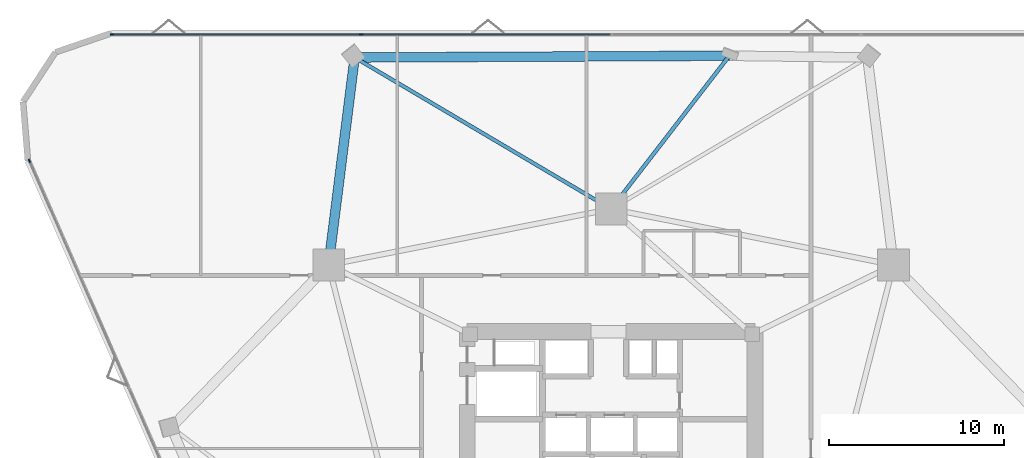
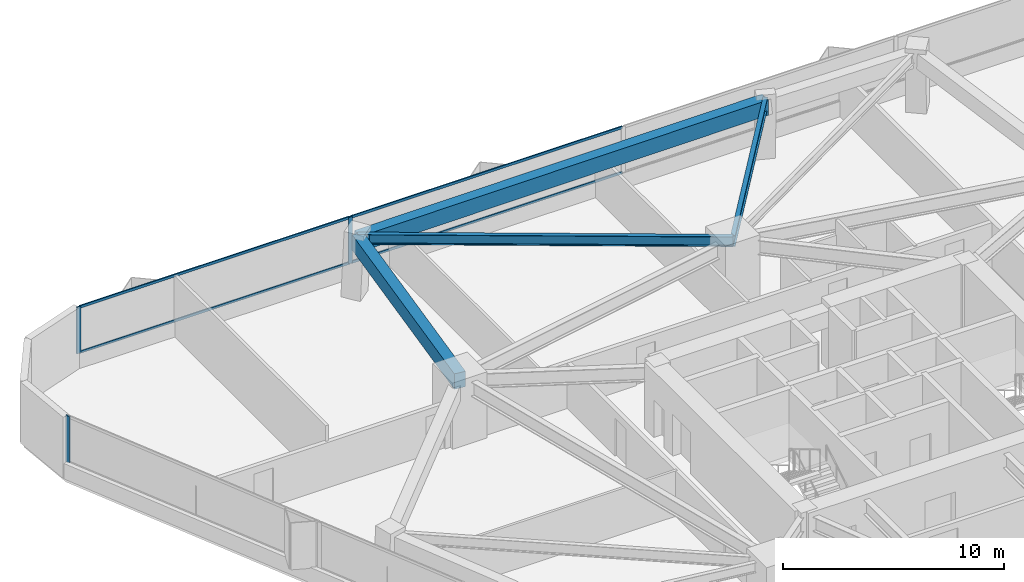
# One storey, part 7 of 14: 7 members, 4 beams, 2 elements without a shape of their own.
"""IFC4 building model written with IfcOpenShell, lengths in metres."""

import ifcopenshell
import ifcopenshell.guid

model = None  # the IFC model being written
_history = None  # IfcOwnerHistory: only IFC2X3 demands one
_inside = {}  # id of a spatial element -> (the spatial element, [elements in it])
_under = {}  # id of a project, library or spatial element -> (it, [spatial elements below it])
_declared = {}  # id of a project -> (the project, [libraries it declares])
_typed = {}  # id of a type object -> (the type object, [elements of that type])
_made_of = {}  # id of a material, layer set ... -> (it, [elements and type objects made of it])


def new_model(schema):
    """Start an empty IFC model of exactly this schema.

    Asked for "IFC4X3", IfcOpenShell would pick the latest addendum, in which some entities
    have other attributes; the version numbers below select the first issue.
    IFC2X3 requires an IfcOwnerHistory on every rooted entity: one is made here for all.
    """
    global model, _history
    if schema == "IFC4X3":
        model = ifcopenshell.file(schema_version=(4, 3, 0, 0))
    else:
        model = ifcopenshell.file(schema=schema)
    _inside.clear()
    _under.clear()
    _declared.clear()
    _typed.clear()
    _made_of.clear()
    _history = None
    if model.schema == "IFC2X3":
        org = make("IfcOrganization", Name="unknown")
        user = make(
            "IfcPersonAndOrganization",
            ThePerson=make("IfcPerson", FamilyName="unknown"),
            TheOrganization=org,
        )
        app = make(
            "IfcApplication",
            ApplicationDeveloper=org,
            Version="unknown",
            ApplicationFullName="unknown",
            ApplicationIdentifier="unknown",
        )
        _history = make(
            "IfcOwnerHistory",
            OwningUser=user,
            OwningApplication=app,
            ChangeAction="ADDED",
            CreationDate=0,
        )
    return model


def make(cls, **values):
    """One entity of the class cls with the attributes given. An attribute that is None is left unset."""
    return model.create_entity(
        cls, **{name: value for name, value in values.items() if value is not None}
    )


def rooted(cls, **values):
    """An entity with a GlobalId (a new one), such as an element, a storey or a relation."""
    return make(cls, GlobalId=ifcopenshell.guid.new(), OwnerHistory=_history, **values)


def si_unit(unit_type, name, prefix=None):
    """IfcSIUnit, for example si_unit("LENGTHUNIT", "METRE", prefix="MILLI")."""
    return make("IfcSIUnit", UnitType=unit_type, Prefix=prefix, Name=name)


def assignment(units):
    """IfcUnitAssignment: the units of a project."""
    return None if units is None else make("IfcUnitAssignment", Units=units)


def point(xyz):
    """IfcCartesianPoint."""
    return None if xyz is None else make("IfcCartesianPoint", Coordinates=xyz)


def direction(xyz):
    """IfcDirection."""
    return None if xyz is None else make("IfcDirection", DirectionRatios=xyz)


def frame(location, z_axis=None, x_axis=None):
    """IfcAxis2Placement3D, a coordinate frame: its origin and axes. An axis left out is left unset."""
    return make(
        "IfcAxis2Placement3D",
        Location=point(location),
        Axis=direction(z_axis),
        RefDirection=direction(x_axis),
    )


def frame_2d(location, x_axis=None):
    """IfcAxis2Placement2D, a coordinate frame in the plane: its origin and x axis."""
    return make(
        "IfcAxis2Placement2D", Location=point(location), RefDirection=direction(x_axis)
    )


def origin():
    """The frame at (0, 0, 0) with its axes left unset."""
    return frame((0.0, 0.0, 0.0))


def origin_2d():
    """The frame at (0, 0) in the plane with its x axis left unset."""
    return frame_2d((0.0, 0.0))


def place(relative_to, where):
    """IfcLocalPlacement: puts the frame where relative to a parent placement (None: the world)."""
    return make(
        "IfcLocalPlacement", PlacementRelTo=relative_to, RelativePlacement=where
    )


def context(
    kind, dimensions, precision=None, world=None, true_north=None, identifier=None
):
    """IfcGeometricRepresentationContext, for example the 3D "Model" context."""
    return make(
        "IfcGeometricRepresentationContext",
        ContextIdentifier=identifier,
        ContextType=kind,
        CoordinateSpaceDimension=dimensions,
        Precision=precision,
        WorldCoordinateSystem=world,
        TrueNorth=true_north,
    )


def subcontext(parent, identifier, kind, view, scale=None):
    """IfcGeometricRepresentationSubContext, for example "Body" below "Model"."""
    return make(
        "IfcGeometricRepresentationSubContext",
        ContextIdentifier=identifier,
        ContextType=kind,
        ParentContext=parent,
        TargetScale=scale,
        TargetView=view,
    )


def project(units=None, contexts=None):
    """IfcProject with its units and contexts."""
    return rooted(
        "IfcProject",
        Name="project",
        RepresentationContexts=contexts,
        UnitsInContext=assignment(units),
    )


def spatial(cls, under=None, at=None, **own):
    """A site, building, storey or space (cls), placed at a placement, below another one or the project."""
    s = rooted(cls, ObjectPlacement=at, **own)
    if under is not None:
        _under.setdefault(under.id(), (under, []))[1].append(s)
    return s


def profile(cls, at=None, kind="AREA", **sizes):
    """A parametric profile (cls). Its sizes go by their IFC names, for example OverallWidth=200.0."""
    return make(cls, ProfileType=kind, Position=at, **sizes)


def rectangle(**sizes):
    """IfcRectangleProfileDef."""
    return profile("IfcRectangleProfileDef", **sizes)


def i_section(**sizes):
    """IfcIShapeProfileDef."""
    return profile("IfcIShapeProfileDef", **sizes)


def extrude(swept, where, along, depth):
    """IfcExtrudedAreaSolid: the profile swept, set in the frame where, extruded along a direction by depth."""
    return make(
        "IfcExtrudedAreaSolid",
        SweptArea=swept,
        Position=where,
        ExtrudedDirection=direction(along),
        Depth=depth,
    )


def shape(context_of_items, identifier, shape_type, items):
    """IfcShapeRepresentation: the items that make up one representation, for example the "Body"."""
    return make(
        "IfcShapeRepresentation",
        ContextOfItems=context_of_items,
        RepresentationIdentifier=identifier,
        RepresentationType=shape_type,
        Items=items,
    )


def material(Name=None, Category=None):
    """IfcMaterial."""
    return make("IfcMaterial", Name=Name, Category=Category)


def layer(
    of_material, thickness, ventilated=None, Name=None, Category=None, Priority=None
):
    """IfcMaterialLayer: one layer of a wall or slab, of a material (None: an air gap)."""
    return make(
        "IfcMaterialLayer",
        Material=of_material,
        LayerThickness=thickness,
        IsVentilated=ventilated,
        Name=Name,
        Category=Category,
        Priority=Priority,
    )


def layer_set(layers, Name=None):
    """IfcMaterialLayerSet."""
    return make("IfcMaterialLayerSet", MaterialLayers=layers, LayerSetName=Name)


def material_profile(
    of_material, cross_section, Name=None, Category=None, Priority=None
):
    """IfcMaterialProfile: a cross section and its material."""
    return make(
        "IfcMaterialProfile",
        Name=Name,
        Material=of_material,
        Profile=cross_section,
        Priority=Priority,
        Category=Category,
    )


def profile_set(profiles, Name=None, composite=None):
    """IfcMaterialProfileSet."""
    return make(
        "IfcMaterialProfileSet",
        Name=Name,
        MaterialProfiles=profiles,
        CompositeProfile=composite,
    )


def made_of(thing, what):
    """Note that an element or type object is made of a material, layer set ...; save() writes the relation."""
    if what is not None:
        _made_of.setdefault(what.id(), (what, []))[1].append(thing)
    return thing


def type_object(cls, material=None, **own):
    """A type object (cls), such as IfcWallType, which elements share."""
    return made_of(rooted(cls, **own), material)


def element(
    cls,
    number,
    at=None,
    inside=None,
    cuts=None,
    type_object=None,
    material=None,
    context=None,
    identifier="Body",
    shape_type=None,
    held_by="IfcProductDefinitionShape",
    body=None,
    shapes=None,
    **own,
):
    """One element of the class cls, such as IfcWall. Its Tag is "e" and its number.

    at: its placement. inside: the storey or other place that contains it. cuts: it is an
    opening in that element (IfcRelVoidsElement). A single representation is given by context,
    identifier, shape_type and body (its items); several are given by shapes. held_by: the class
    of the entity that holds the representations. save() writes the other relations.
    """
    e = rooted(cls, Tag="e%d" % number, ObjectPlacement=at, **own)
    if body is not None:
        shapes = [shape(context, identifier, shape_type, body)]
    if shapes is not None:
        e.Representation = make(held_by, Representations=shapes)
    if inside is not None:
        _inside.setdefault(inside.id(), (inside, []))[1].append(e)
    if cuts is not None:
        rooted(
            "IfcRelVoidsElement", RelatingBuildingElement=cuts, RelatedOpeningElement=e
        )
    if type_object is not None:
        _typed.setdefault(type_object.id(), (type_object, []))[1].append(e)
    return made_of(e, material)


def aggregate(whole, parts):
    """IfcRelAggregates: a whole, such as a stair, and the parts it consists of."""
    return rooted("IfcRelAggregates", RelatingObject=whole, RelatedObjects=parts)


def save(model, path):
    """Write the relations noted so far, then the file.

    IfcRelAggregates (storeys below a building ...), IfcRelContainedInSpatialStructure (elements
    in a storey), IfcRelDefinesByType, IfcRelAssociatesMaterial and IfcRelDeclares: one each for
    every whole, place, type object, material and project.
    """
    for whole, parts in _under.values():
        aggregate(whole, parts)
    for where, things in _inside.values():
        rooted(
            "IfcRelContainedInSpatialStructure",
            RelatedElements=things,
            RelatingStructure=where,
        )
    for kind, things in _typed.values():
        rooted("IfcRelDefinesByType", RelatedObjects=things, RelatingType=kind)
    for what, things in _made_of.values():
        rooted("IfcRelAssociatesMaterial", RelatedObjects=things, RelatingMaterial=what)
    for by, libraries in _declared.values():
        rooted("IfcRelDeclares", RelatingContext=by, RelatedDefinitions=libraries)
    model.write(path)


model = new_model("IFC4")

# Units and contexts
model_context = context("Model", 3, precision=1e-05, world=origin(), true_north=direction((0.0, 1.0)))
body_context = subcontext(model_context, "Body", "Model", "MODEL_VIEW")
ifc_project = project(units=[si_unit("LENGTHUNIT", "METRE"), si_unit("AREAUNIT", "SQUARE_METRE"), si_unit("VOLUMEUNIT", "CUBIC_METRE"), si_unit("PLANEANGLEUNIT", "RADIAN"), si_unit("MASSUNIT", "GRAM", prefix="KILO")], contexts=[model_context])

# Site, building, storey
site_placement = place(None, origin())
site = spatial("IfcSite", under=ifc_project, at=site_placement, CompositionType="ELEMENT")
building_placement = place(site_placement, origin())
building = spatial("IfcBuilding", under=site, at=building_placement, Name="Talyreon Biosciences Tower", CompositionType="ELEMENT")
storey_placement = place(building_placement, frame((0.0, 0.0, 52.0)))
storey = spatial("IfcBuildingStorey", under=building, at=storey_placement, Name="L13", CompositionType="ELEMENT", Elevation=52.0)

# Curtain wall, members
ifc_material_1 = material(Name="Thermally broken aluminium and low-E glazing", Category="aluminium")
ifc_layer = layer(ifc_material_1, 0.205078125)
ifc_layer_set = layer_set([ifc_layer], Name="Thermally broken aluminium and low-E glazing")
curtain_wall_type = type_object("IfcCurtainWallType", Name="CurtainWall_SkyGardenLoggia", PredefinedType="NOTDEFINED", material=ifc_layer_set)
curtain_wall_1_placement = place(storey_placement, origin())
curtain_wall_1 = element("IfcCurtainWall", 1, at=curtain_wall_1_placement, inside=storey, type_object=curtain_wall_type, Name="L13 Unitised Curtain Wall FCW-L13-03", PredefinedType="NOTDEFINED")
ifc_material_2 = material(Name="Anodised thermally broken aluminium", Category="aluminium")
ifc_material_profile_1 = material_profile(ifc_material_2, rectangle(XDim=0.074951171875, YDim=0.2099609375, at=origin_2d()), Name="ALUM MULLION 75x210")
ifc_profile_set_1 = profile_set([ifc_material_profile_1], Name="Anodised thermally broken aluminium")
member_type_1 = type_object("IfcMemberType", Name="CWMullion_75x210", PredefinedType="MULLION", material=ifc_profile_set_1)
member_1_placement = place(storey_placement, frame((37.556640625, 91.74072265625, 0.81005859375), z_axis=(0.0, 0.0, 1.0), x_axis=(0.0, 1.0, 0.0)))
member_1 = element("IfcMember", 2, at=member_1_placement, type_object=member_type_1, Name="CW7 mullion 1", PredefinedType="MULLION", context=body_context, shape_type="SweptSolid", body=[
    extrude(rectangle(XDim=0.074951171875, YDim=0.2099609375, at=origin_2d()), origin(), (0.0, 0.0, 1.0), 2.56494140625),
])
member_2_placement = place(storey_placement, frame((51.759521484375, 91.74072265625, 0.81005859375), z_axis=(0.0, 0.0, 1.0), x_axis=(0.0, 1.0, 0.0)))
member_2 = element("IfcMember", 3, at=member_2_placement, type_object=member_type_1, Name="CW7 mullion 2", PredefinedType="MULLION", context=body_context, shape_type="SweptSolid", body=[
    extrude(rectangle(XDim=0.074951171875, YDim=0.2099609375, at=origin_2d()), origin(), (0.0, 0.0, 1.0), 2.56494140625),
])

# Curtain wall, member
curtain_wall_2_placement = place(storey_placement, origin())
curtain_wall_2 = element("IfcCurtainWall", 4, at=curtain_wall_2_placement, inside=storey, type_object=curtain_wall_type, Name="L13 Unitised Curtain Wall FCW-L13-15", PredefinedType="NOTDEFINED")
member_3_placement = place(storey_placement, frame((32.84423828125, 84.53271484375, 0.81005859375), z_axis=(0.0, 0.0, 1.0), x_axis=(-0.916035471245, -0.40109726429, 0.0)))
member_3 = element("IfcMember", 5, at=member_3_placement, type_object=member_type_1, Name="CW7 mullion 6", PredefinedType="MULLION", context=body_context, shape_type="SweptSolid", body=[
    extrude(rectangle(XDim=0.074951171875, YDim=0.2099609375, at=origin_2d()), origin(), (0.0, 0.0, 1.0), 2.56494140625),
])
aggregate(curtain_wall_2, [member_3])

# Member
ifc_material_profile_2 = material_profile(ifc_material_2, rectangle(XDim=0.06494140625, YDim=0.139892578125, at=origin_2d()), Name="ALUM TRANSOM 65x140")
ifc_profile_set_2 = profile_set([ifc_material_profile_2], Name="Anodised thermally broken aluminium")
member_type_2 = type_object("IfcMemberType", Name="CWTransom_65x140", PredefinedType="USERDEFINED", material=ifc_profile_set_2)
member_4_placement = place(storey_placement, frame((37.59423828125, 91.74072265625, 0.842529296875), z_axis=(1.0, 0.0, 0.0), x_axis=(0.0, 1.0, 0.0)))
member_4 = element("IfcMember", 6, at=member_4_placement, type_object=member_type_2, Name="CW7 transom 1.1", ObjectType="TRANSOM", PredefinedType="USERDEFINED", context=body_context, shape_type="SweptSolid", body=[
    extrude(rectangle(XDim=0.06494140625, YDim=0.139892578125, at=origin_2d()), origin(), (0.0, 0.0, 1.0), 14.1279296875),
])

member_5_placement = place(storey_placement, frame((37.59423828125, 91.74072265625, 3.342529296875), z_axis=(1.0, 0.0, 0.0), x_axis=(0.0, 1.0, 0.0)))
member_5 = element("IfcMember", 7, at=member_5_placement, type_object=member_type_2, Name="CW7 transom 1.2", ObjectType="TRANSOM", PredefinedType="USERDEFINED", context=body_context, shape_type="SweptSolid", body=[
    extrude(rectangle(XDim=0.06494140625, YDim=0.139892578125, at=origin_2d()), origin(), (0.0, 0.0, 1.0), 14.1279296875),
])

member_6_placement = place(storey_placement, frame((51.797119140625, 91.74072265625, 0.842529296875), z_axis=(1.0, 0.0, 0.0), x_axis=(0.0, 1.0, 0.0)))
member_6 = element("IfcMember", 8, at=member_6_placement, type_object=member_type_2, Name="CW7 transom 2.1", ObjectType="TRANSOM", PredefinedType="USERDEFINED", context=body_context, shape_type="SweptSolid", body=[
    extrude(rectangle(XDim=0.06494140625, YDim=0.139892578125, at=origin_2d()), origin(), (0.0, 0.0, 1.0), 14.165283203125),
])

member_7_placement = place(storey_placement, frame((51.797119140625, 91.74072265625, 3.342529296875), z_axis=(1.0, 0.0, 0.0), x_axis=(0.0, 1.0, 0.0)))
member_7 = element("IfcMember", 9, at=member_7_placement, type_object=member_type_2, Name="CW7 transom 2.2", ObjectType="TRANSOM", PredefinedType="USERDEFINED", context=body_context, shape_type="SweptSolid", body=[
    extrude(rectangle(XDim=0.06494140625, YDim=0.139892578125, at=origin_2d()), origin(), (0.0, 0.0, 1.0), 14.165283203125),
])

aggregate(curtain_wall_1, [member_1, member_2, member_4, member_5, member_6, member_7])

# Beams
ifc_material_3 = material(Name="Precast concrete C45/55", Category="concrete")
ifc_material_profile_3 = material_profile(ifc_material_3, rectangle(XDim=0.550048828125, YDim=0.85009765625, at=origin_2d()), Name="RCB 550x850")
ifc_profile_set_3 = profile_set([ifc_material_profile_3], Name="Precast concrete C45/55")
beam_type_1 = type_object("IfcBeamType", Name="ExpressedSpandrel_550x850", PredefinedType="SPANDREL", material=ifc_profile_set_3)
beam_1_placement = place(storey_placement, frame((72.744873046875, 90.526123046875, 2.949951171875), z_axis=(-0.999989018708, -0.004686412657, 0.0), x_axis=(0.004686412657, -0.999989018708, 0.0)))
element("IfcBeam", 10, at=beam_1_placement, inside=storey, type_object=beam_type_1, Name="L13 Expressed Horizontal Concrete Spandrel 07", PredefinedType="SPANDREL", context=body_context, shape_type="SweptSolid", body=[
    extrude(rectangle(XDim=0.550048828125, YDim=0.85009765625, at=origin_2d()), origin(), (0.0, 0.0, 1.0), 21.359130859375),
])
beam_2_placement = place(storey_placement, frame((51.385986328125, 90.426025390625, 2.949951171875), z_axis=(-0.124848869799, -0.992175770572, 0.0), x_axis=(0.992175770572, -0.124848869799, 0.0)))
element("IfcBeam", 11, at=beam_2_placement, inside=storey, type_object=beam_type_1, Name="L13 Expressed Horizontal Concrete Spandrel 08", PredefinedType="SPANDREL", context=body_context, shape_type="SweptSolid", body=[
    extrude(rectangle(XDim=0.550048828125, YDim=0.85009765625, at=origin_2d()), origin(), (0.0, 0.0, 1.0), 11.920654296875),
])
ifc_material_4 = material(Name="Steel SM355", Category="steel")
ifc_material_profile_4 = material_profile(ifc_material_4, i_section(OverallWidth=0.2099609375, OverallDepth=0.550048828125, WebThickness=0.010986328125, FlangeThickness=0.01708984375, FilletRadius=0.02392578125, at=origin_2d()), Name="IPE550")
ifc_profile_set_4 = profile_set([ifc_material_profile_4], Name="Steel SM355")
beam_type_2 = type_object("IfcBeamType", Name="SteelJoist_IPE550", PredefinedType="JOIST", material=ifc_profile_set_4)
beam_3_placement = place(storey_placement, frame((66.0, 81.788818359375, 3.10009765625), z_axis=(-0.860883864136, 0.508801505963, 0.0), x_axis=(-0.508801505963, -0.860883864136, 0.0)))
element("IfcBeam", 12, at=beam_3_placement, inside=storey, type_object=beam_type_2, Name="L13 Radial Composite Floor Joist PC-N2", PredefinedType="JOIST", context=body_context, shape_type="SweptSolid", body=[
    extrude(i_section(OverallWidth=0.2099609375, OverallDepth=0.550048828125, WebThickness=0.010986328125, FlangeThickness=0.01708984375, FilletRadius=0.02392578125, at=origin_2d()), origin(), (0.0, 0.0, 1.0), 16.9755859375),
])
ifc_material_profile_5 = material_profile(ifc_material_4, i_section(OverallWidth=0.219970703125, OverallDepth=0.60009765625, WebThickness=0.011962890625, FlangeThickness=0.01904296875, FilletRadius=0.02392578125, at=origin_2d()), Name="IPE600")
ifc_profile_set_5 = profile_set([ifc_material_profile_5], Name="Steel SM355")
beam_type_3 = type_object("IfcBeamType", Name="SteelJoist_IPE600", PredefinedType="JOIST", material=ifc_profile_set_5)
beam_4_placement = place(storey_placement, frame((66.0, 81.788818359375, 3.074951171875), z_axis=(0.611068468813, 0.791577745027, 0.0), x_axis=(-0.791577745027, 0.611068468813, 0.0)))
element("IfcBeam", 13, at=beam_4_placement, inside=storey, type_object=beam_type_3, Name="L13 Radial Composite Floor Joist PL-N", PredefinedType="JOIST", context=body_context, shape_type="SweptSolid", body=[
    extrude(i_section(OverallWidth=0.219970703125, OverallDepth=0.60009765625, WebThickness=0.011962890625, FlangeThickness=0.01904296875, FilletRadius=0.02392578125, at=origin_2d()), origin(), (0.0, 0.0, 1.0), 11.037841796875),
])

save(model, "model.ifc")
